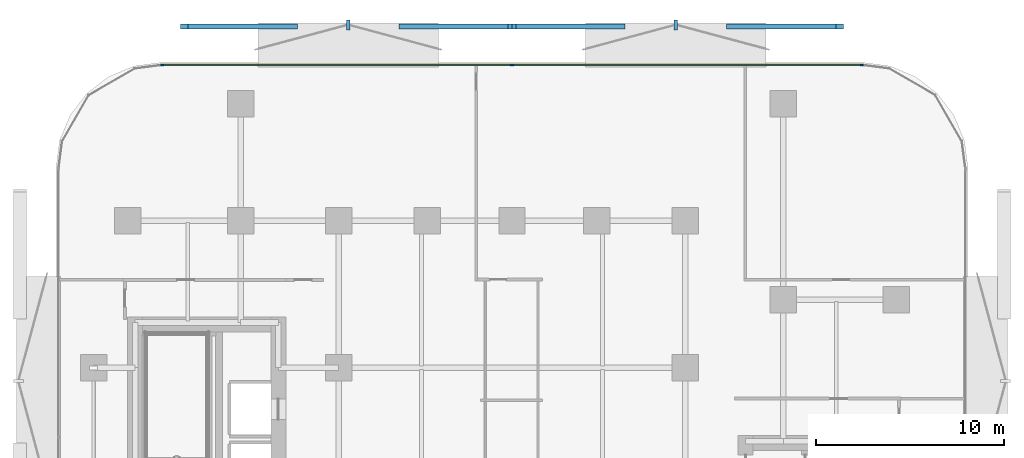
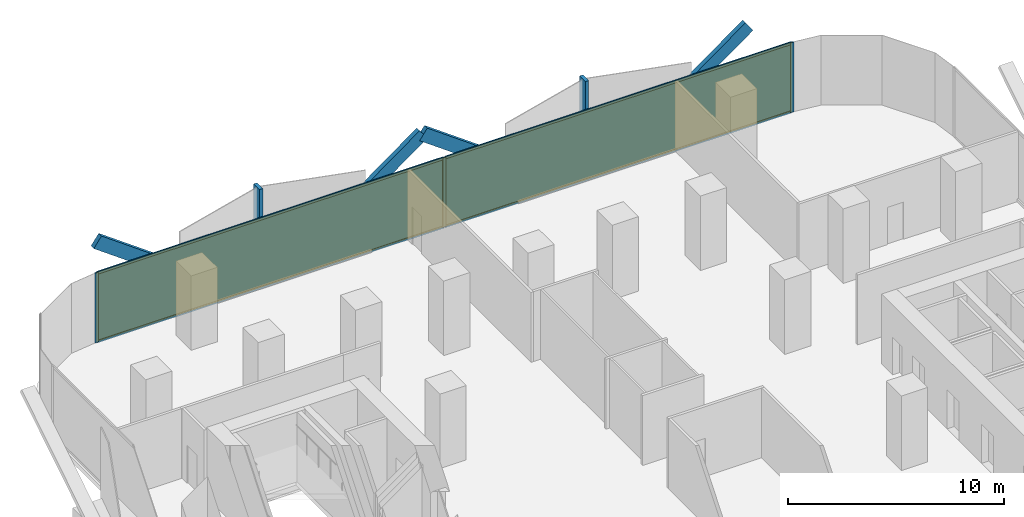
# One storey, part 10 of 15: 13 members, 2 plates, 1 curtain wall.
"""IFC4 building model written with IfcOpenShell, lengths in metres."""

from ifc_helpers import new_model, si_unit, direction, frame, frame_2d, origin, origin_2d, place, context, subcontext, project, spatial, rectangle, extrude, material, layer, layer_set, material_profile, profile_set, type_object, element, aggregate, save


model = new_model("IFC4")

# Units and contexts
model_context = context("Model", 3, precision=1e-05, world=origin(), true_north=direction((0.0, 1.0)))
body_context = subcontext(model_context, "Body", "Model", "MODEL_VIEW")
ifc_project = project(units=[si_unit("LENGTHUNIT", "METRE"), si_unit("AREAUNIT", "SQUARE_METRE"), si_unit("VOLUMEUNIT", "CUBIC_METRE"), si_unit("PLANEANGLEUNIT", "RADIAN"), si_unit("MASSUNIT", "GRAM", prefix="KILO")], contexts=[model_context])

# Member
ifc_material_1 = material(Name="Anodised Bronze Aluminium 6063-T6", Category="aluminium")
ifc_material_profile_1 = material_profile(ifc_material_1, rectangle(XDim=0.260009765625, YDim=0.699951171875, at=origin_2d()))
ifc_profile_set_1 = profile_set([ifc_material_profile_1], Name="Anodised Bronze Aluminium 6063-T6")
member_type_1 = type_object("IfcMemberType", Name="Bronze Diamond Solar-Screen Lattice Rib BDL-700", PredefinedType="MULLION", material=ifc_profile_set_1)
site_placement = place(None, origin())
building_placement = place(site_placement, origin())
storey_placement = place(building_placement, frame((0.0, 0.0, 59.60009765625)))
member_1_placement = place(storey_placement, frame((-5.796875, 28.89990234375, -0.130126953125), z_axis=(0.80979516686, 0.0, 0.58671269607), x_axis=(0.0, 1.0, 0.0)))
member_1 = element("IfcMember", 1, at=member_1_placement, type_object=member_type_1, Name="L14 Bronze Diamond Solar Screen Lattice Rib 69A", PredefinedType="MULLION", context=body_context, shape_type="SweptSolid", body=[
    extrude(rectangle(XDim=0.260009765625, YDim=0.699951171875, at=origin_2d()), origin(), (0.0, 0.0, 1.0), 7.158447265625),
])

member_2_placement = place(storey_placement, frame((-11.593994140625, 28.89990234375, -0.130126953125), z_axis=(-0.80979516686, 0.0, 0.58671269607), x_axis=(0.0, -1.0, 0.0)))
member_2 = element("IfcMember", 2, at=member_2_placement, type_object=member_type_1, Name="L14 Bronze Diamond Solar Screen Lattice Rib 69B", PredefinedType="MULLION", context=body_context, shape_type="SweptSolid", body=[
    extrude(rectangle(XDim=0.260009765625, YDim=0.699951171875, at=origin_2d()), origin(), (0.0, 0.0, 1.0), 7.158447265625),
])

member_3_placement = place(storey_placement, frame((11.593994140625, 28.89990234375, -0.130126953125), z_axis=(0.80979516686, 0.0, 0.58671269607), x_axis=(0.0, 1.0, 0.0)))
member_3 = element("IfcMember", 3, at=member_3_placement, type_object=member_type_1, Name="L14 Bronze Diamond Solar Screen Lattice Rib 70A", PredefinedType="MULLION", context=body_context, shape_type="SweptSolid", body=[
    extrude(rectangle(XDim=0.260009765625, YDim=0.699951171875, at=origin_2d()), origin(), (0.0, 0.0, 1.0), 7.158447265625),
])

member_4_placement = place(storey_placement, frame((5.796875, 28.89990234375, -0.130126953125), z_axis=(-0.80979516686, 0.0, 0.58671269607), x_axis=(0.0, -1.0, 0.0)))
member_4 = element("IfcMember", 4, at=member_4_placement, type_object=member_type_1, Name="L14 Bronze Diamond Solar Screen Lattice Rib 70B", PredefinedType="MULLION", context=body_context, shape_type="SweptSolid", body=[
    extrude(rectangle(XDim=0.260009765625, YDim=0.699951171875, at=origin_2d()), origin(), (0.0, 0.0, 1.0), 7.158447265625),
])

ifc_material_2 = material(Name="Anodised Bronze Aluminium 6063-T6", Category="aluminium")
ifc_material_profile_2 = material_profile(ifc_material_2, rectangle(XDim=0.179931640625, YDim=0.5400390625, at=origin_2d()))
ifc_profile_set_2 = profile_set([ifc_material_profile_2], Name="Anodised Bronze Aluminium 6063-T6")
member_type_2 = type_object("IfcMemberType", Name="Bronze Solar-Screen Vertical Fold Fin BSF-540", PredefinedType="MULLION", material=ifc_profile_set_2)
member_5_placement = place(storey_placement, frame((-8.6953125, 28.97998046875, -0.130126953125), z_axis=(0.0, 0.0, 1.0), x_axis=(1.0, 0.0, 0.0)))
member_5 = element("IfcMember", 5, at=member_5_placement, type_object=member_type_2, Name="L14 Bronze Solar Screen Vertical Fin 69", PredefinedType="MULLION", context=body_context, shape_type="SweptSolid", body=[
    extrude(rectangle(XDim=0.179931640625, YDim=0.5400390625, at=origin_2d()), origin(), (0.0, 0.0, 1.0), 4.199951171875),
])

member_6_placement = place(storey_placement, frame((8.6953125, 28.97998046875, -0.130126953125), z_axis=(0.0, 0.0, 1.0), x_axis=(1.0, 0.0, 0.0)))
member_6 = element("IfcMember", 6, at=member_6_placement, type_object=member_type_2, Name="L14 Bronze Solar Screen Vertical Fin 70", PredefinedType="MULLION", context=body_context, shape_type="SweptSolid", body=[
    extrude(rectangle(XDim=0.179931640625, YDim=0.5400390625, at=origin_2d()), origin(), (0.0, 0.0, 1.0), 4.199951171875),
])

ifc_material_3 = material(Name="Anodised Bronze Aluminium 6063-T6", Category="aluminium")
ifc_material_profile_3 = material_profile(ifc_material_3, rectangle(XDim=0.06494140625, YDim=0.179931640625, at=origin_2d()))
ifc_profile_set_3 = profile_set([ifc_material_profile_3], Name="Anodised Bronze Aluminium 6063-T6")
member_type_3 = type_object("IfcMemberType", Name="CW-Z1 Mullion 65x180", PredefinedType="MULLION", material=ifc_profile_set_3)
member_7_placement = place(storey_placement, frame((-18.558349609375, 26.860107421875, 0.0), z_axis=(0.0, 0.0, 1.0), x_axis=(0.0, 1.0, 0.0)))
member_7 = element("IfcMember", 7, at=member_7_placement, type_object=member_type_3, Name="CW-Z1 mullion 1", PredefinedType="MULLION", context=body_context, shape_type="SweptSolid", body=[
    extrude(rectangle(XDim=0.06494140625, YDim=0.179931640625, at=origin_2d()), origin(), (0.0, 0.0, 1.0), 3.93994140625),
])

member_8_placement = place(storey_placement, frame((0.0, 26.860107421875, 0.0), z_axis=(0.0, 0.0, 1.0), x_axis=(0.0, 1.0, 0.0)))
member_8 = element("IfcMember", 8, at=member_8_placement, type_object=member_type_3, Name="CW-Z1 mullion 2", PredefinedType="MULLION", context=body_context, shape_type="SweptSolid", body=[
    extrude(rectangle(XDim=0.06494140625, YDim=0.179931640625, at=origin_2d()), origin(), (0.0, 0.0, 1.0), 3.93994140625),
])

member_9_placement = place(storey_placement, frame((18.558349609375, 26.860107421875, 0.0), z_axis=(0.0, 0.0, 1.0), x_axis=(0.0, 1.0, 0.0)))
member_9 = element("IfcMember", 9, at=member_9_placement, type_object=member_type_3, Name="CW-Z1 mullion 3", PredefinedType="MULLION", context=body_context, shape_type="SweptSolid", body=[
    extrude(rectangle(XDim=0.06494140625, YDim=0.179931640625, at=origin_2d()), origin(), (0.0, 0.0, 1.0), 3.93994140625),
])

ifc_material_4 = material(Name="Anodised Bronze Aluminium 6063-T6", Category="aluminium")
ifc_material_profile_4 = material_profile(ifc_material_4, rectangle(XDim=0.06494140625, YDim=0.139892578125, at=origin_2d()))
ifc_profile_set_4 = profile_set([ifc_material_profile_4], Name="Anodised Bronze Aluminium 6063-T6")
member_type_4 = type_object("IfcMemberType", Name="CW-Z1 Transom 65x140", PredefinedType="USERDEFINED", material=ifc_profile_set_4)
member_10_placement = place(storey_placement, frame((-18.52587890625, 26.860107421875, 0.032470703125), z_axis=(1.0, 0.0, 0.0), x_axis=(0.0, 1.0, 0.0)))
member_10 = element("IfcMember", 10, at=member_10_placement, type_object=member_type_4, Name="CW-Z1 transom 1.1", ObjectType="TRANSOM", PredefinedType="USERDEFINED", context=body_context, shape_type="SweptSolid", body=[
    extrude(rectangle(XDim=0.06494140625, YDim=0.139892578125, at=origin_2d()), origin(), (0.0, 0.0, 1.0), 18.493408203125),
])

member_11_placement = place(storey_placement, frame((-18.52587890625, 26.860107421875, 3.907470703125), z_axis=(1.0, 0.0, 0.0), x_axis=(0.0, 1.0, 0.0)))
member_11 = element("IfcMember", 11, at=member_11_placement, type_object=member_type_4, Name="CW-Z1 transom 1.2", ObjectType="TRANSOM", PredefinedType="USERDEFINED", context=body_context, shape_type="SweptSolid", body=[
    extrude(rectangle(XDim=0.06494140625, YDim=0.139892578125, at=origin_2d()), origin(), (0.0, 0.0, 1.0), 18.493408203125),
])

member_12_placement = place(storey_placement, frame((0.032470703125, 26.860107421875, 0.032470703125), z_axis=(1.0, 0.0, 0.0), x_axis=(0.0, 1.0, 0.0)))
member_12 = element("IfcMember", 12, at=member_12_placement, type_object=member_type_4, Name="CW-Z1 transom 2.1", ObjectType="TRANSOM", PredefinedType="USERDEFINED", context=body_context, shape_type="SweptSolid", body=[
    extrude(rectangle(XDim=0.06494140625, YDim=0.139892578125, at=origin_2d()), origin(), (0.0, 0.0, 1.0), 18.493408203125),
])

member_13_placement = place(storey_placement, frame((0.032470703125, 26.860107421875, 3.907470703125), z_axis=(1.0, 0.0, 0.0), x_axis=(0.0, 1.0, 0.0)))
member_13 = element("IfcMember", 13, at=member_13_placement, type_object=member_type_4, Name="CW-Z1 transom 2.2", ObjectType="TRANSOM", PredefinedType="USERDEFINED", context=body_context, shape_type="SweptSolid", body=[
    extrude(rectangle(XDim=0.06494140625, YDim=0.139892578125, at=origin_2d()), origin(), (0.0, 0.0, 1.0), 18.493408203125),
])

# Plate
ifc_material_5 = material(Name="Low-E Solar Control Laminated Glass", Category="glass")
ifc_layer_1 = layer(ifc_material_5, 0.028076171875, Name="Low-E Solar Control Laminated Glass")
ifc_layer_set_1 = layer_set([ifc_layer_1], Name="Low-E Solar Control Laminated Glass")
plate_type = type_object("IfcPlateType", Name="CW-Z1 Low-E Double Glazed Panel 28mm", PredefinedType="CURTAIN_PANEL", material=ifc_layer_set_1)
plate_1_placement = place(storey_placement, frame((-9.279052734375, 26.860107421875, 0.06494140625), z_axis=(0.0, 0.0, 1.0), x_axis=(1.0, 0.0, 0.0)))
plate_1 = element("IfcPlate", 14, at=plate_1_placement, type_object=plate_type, Name="CW-Z1 panel 1.1", PredefinedType="CURTAIN_PANEL", context=body_context, shape_type="SweptSolid", body=[
    extrude(rectangle(XDim=18.493408203125, YDim=0.028076171875, at=origin_2d()), origin(), (0.0, 0.0, 1.0), 3.81005859375),
])

plate_2_placement = place(storey_placement, frame((9.279052734375, 26.860107421875, 0.06494140625), z_axis=(0.0, 0.0, 1.0), x_axis=(1.0, 0.0, 0.0)))
plate_2 = element("IfcPlate", 15, at=plate_2_placement, type_object=plate_type, Name="CW-Z1 panel 2.1", PredefinedType="CURTAIN_PANEL", context=body_context, shape_type="SweptSolid", body=[
    extrude(rectangle(XDim=18.493408203125, YDim=0.028076171875, at=origin_2d()), origin(), (0.0, 0.0, 1.0), 3.81005859375),
])

# Site, building, storey
site = spatial("IfcSite", under=ifc_project, at=site_placement, CompositionType="ELEMENT")
building = spatial("IfcBuilding", under=site, at=building_placement, Name="Khairoan Windgate Tower", CompositionType="ELEMENT")
storey = spatial("IfcBuildingStorey", under=building, at=storey_placement, Name="L14", CompositionType="ELEMENT", Elevation=59.60009765625)

# Curtain wall
ifc_material_6 = material(Name="Anodised Bronze Aluminium 6063-T6", Category="aluminium")
ifc_layer_2 = layer(ifc_material_6, 0.179931640625, Name="Anodised Bronze Aluminium 6063-T6")
ifc_layer_set_2 = layer_set([ifc_layer_2], Name="Anodised Bronze Aluminium 6063-T6")
curtain_wall_type = type_object("IfcCurtainWallType", Name="Low-Rise Office Unitised Curtain Wall CW-Z1", PredefinedType="NOTDEFINED", material=ifc_layer_set_2)
curtain_wall_placement = place(storey_placement, frame((-18.5908203125, 26.860107421875, 0.0), z_axis=(0.0, 0.0, 1.0), x_axis=(1.0, 0.0, 0.0)))
curtain_wall = element("IfcCurtainWall", 16, at=curtain_wall_placement, inside=storey, type_object=curtain_wall_type, Name="L14 Unitised Curtain Wall 11", PredefinedType="NOTDEFINED", context=body_context, shape_type="SweptSolid", body=[
    extrude(rectangle(XDim=37.181640625, YDim=0.010009765625, at=frame_2d((18.5908203125, 0.0))), origin(), (0.0, 0.0, 1.0), 3.93994140625),
])

aggregate(curtain_wall, [member_7, member_8, member_9, member_10, member_11, plate_1, member_12, member_13, plate_2, member_1, member_2, member_5, member_3, member_4, member_6])

save(model, "model.ifc")
